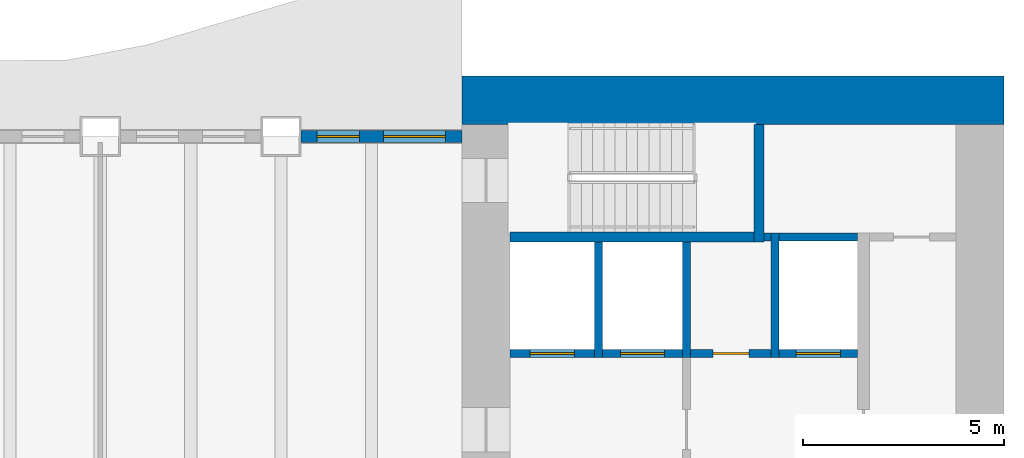
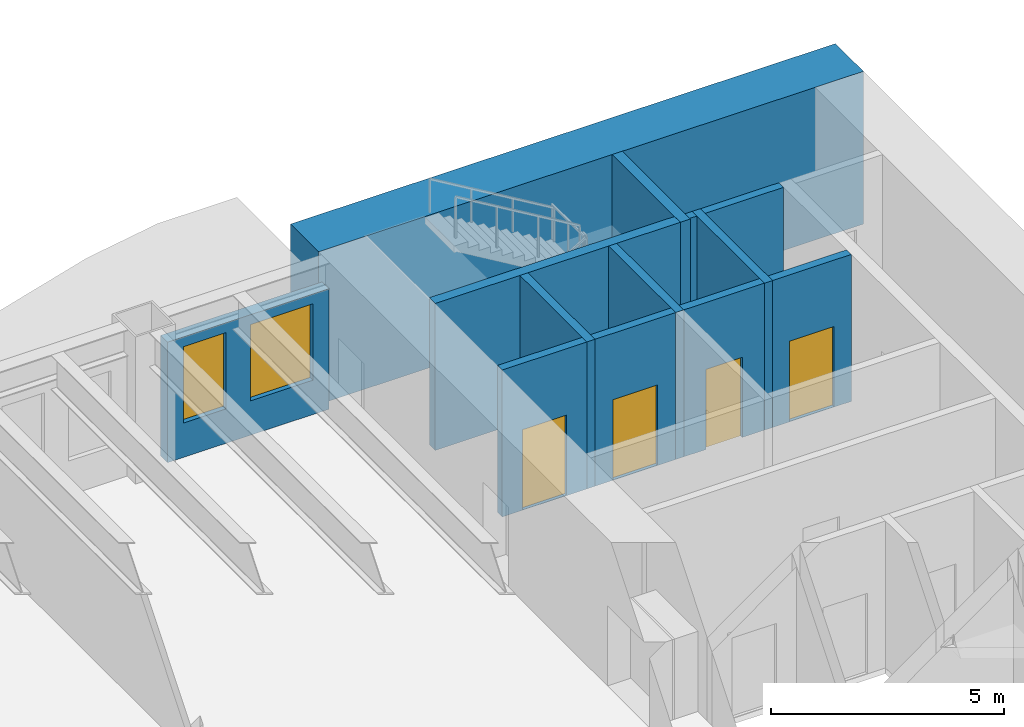
# One storey, part 7 of 16: 13 walls, 4 doors, 2 windows, 6 openings.
"""IFC4 building model written with IfcOpenShell, lengths in metres."""

from ifc_helpers import new_model, si_unit, direction, frame, frame_2d, origin, place, context, subcontext, project, spatial, rectangle, extrude, material, layer, layer_set, type_object, element, fill, save


model = new_model("IFC4")

# Units and contexts
model_context = context("Model", 3, precision=1e-05, world=origin(), true_north=direction((0.0, 1.0)))
body_context = subcontext(model_context, "Body", "Model", "MODEL_VIEW")
ifc_project = project(units=[si_unit("LENGTHUNIT", "METRE"), si_unit("AREAUNIT", "SQUARE_METRE"), si_unit("VOLUMEUNIT", "CUBIC_METRE"), si_unit("PLANEANGLEUNIT", "RADIAN"), si_unit("MASSUNIT", "GRAM", prefix="KILO")], contexts=[model_context])

# Site, building, storey
site_placement = place(None, origin())
site = spatial("IfcSite", under=ifc_project, at=site_placement, CompositionType="ELEMENT")
building_placement = place(site_placement, origin())
building = spatial("IfcBuilding", under=site, at=building_placement, Name="Sennacour Bend Tower", CompositionType="ELEMENT")
storey_placement = place(building_placement, frame((0.0, 0.0, 115.0)))
storey = spatial("IfcBuildingStorey", under=building, at=storey_placement, Name="L26", CompositionType="ELEMENT", Elevation=115.0)

# Wall
ifc_material_1 = material(Name="Concrete C80/95", Category="concrete")
ifc_layer_1 = layer(ifc_material_1, 1.199951171875, Name="Concrete C80/95", Category="concrete")
ifc_layer_set_1 = layer_set([ifc_layer_1], Name="Concrete C80/95")
wall_type_1 = type_object("IfcWallType", Name="Core wall 1200 C80/95", PredefinedType="SHEAR", material=ifc_layer_set_1)
wall_1_placement = place(storey_placement, frame((54.0, 21.89990234375, -0.14990234375), z_axis=(0.0, 0.0, 1.0), x_axis=(1.0, 0.0, 0.0)))
element("IfcWall", 1, at=wall_1_placement, inside=storey, type_object=wall_type_1, Name="Core A wall L26 N", PredefinedType="SHEAR", context=body_context, shape_type="SweptSolid", body=[
    extrude(rectangle(XDim=13.5, YDim=1.199951171875, at=frame_2d((6.75, 0.0))), origin(), (0.0, 0.0, 1.0), 4.0),
])

# Wall, opening, door
ifc_material_2 = material(Name="Fire-rated plasterboard partition on steel studs", Category="steel")
ifc_layer_2 = layer(ifc_material_2, 0.199951171875, Name="Fire-rated plasterboard partition on steel studs", Category="steel")
ifc_layer_set_2 = layer_set([ifc_layer_2], Name="Fire-rated plasterboard partition on steel studs")
wall_type_2 = type_object("IfcWallType", Name="Rated partition 200", PredefinedType="PARTITIONING", material=ifc_layer_set_2)
wall_2_placement = place(storey_placement, frame((59.699951171875, 15.60009765625, 0.0), z_axis=(0.0, 0.0, 1.0), x_axis=(1.0, 0.0, 0.0)))
wall_2 = element("IfcWall", 2, at=wall_2_placement, inside=storey, type_object=wall_type_2, Name="P-L26-W060", PredefinedType="PARTITIONING", context=body_context, shape_type="SweptSolid", body=[
    extrude(rectangle(XDim=2.0, YDim=0.199951171875, at=frame_2d((1.0, 0.0))), origin(), (0.0, 0.0, 1.0), 3.85009765625),
])
opening_1_placement = place(wall_2_placement, frame((0.550048828125, 0.0, 0.0)))
opening_1 = element("IfcOpeningElement", 3, at=opening_1_placement, cuts=wall_2, Name="Opening SV", PredefinedType="OPENING", context=body_context, shape_type="SweptSolid", body=[
    extrude(rectangle(XDim=0.89990234375, YDim=2.10009765625, at=frame_2d((0.449951171875, 1.050048828125))), frame((0.0, 0.10986328125, 0.0), z_axis=(0.0, -1.0, 0.0), x_axis=(1.0, 0.0, 0.0)), (0.0, 0.0, 1.0), 0.219970703125),
])
ifc_material_3 = material(Name="Painted steel", Category="steel")
door_type_1 = type_object("IfcDoorType", Name="DR-SERVICE-900", OperationType="NOTDEFINED", PredefinedType="DOOR", material=ifc_material_3)
door_1_placement = place(opening_1_placement, origin())
door_1 = element("IfcDoor", 4, at=door_1_placement, inside=storey, type_object=door_type_1, Name="Door", OperationType="SINGLE_SWING_RIGHT", OverallHeight=2.10009765625, OverallWidth=0.89990234375, PredefinedType="DOOR", context=body_context, shape_type="SweptSolid", body=[
    extrude(rectangle(XDim=0.89990234375, YDim=2.10009765625, at=frame_2d((0.449951171875, 1.050048828125))), frame((0.0, 0.02490234375, 0.0), z_axis=(0.0, -1.0, 0.0), x_axis=(1.0, 0.0, 0.0)), (0.0, 0.0, 1.0), 0.050048828125),
])
fill(opening_1, door_1)

# Wall
wall_3_placement = place(storey_placement, frame((61.52490234375, 18.5, 0.0), z_axis=(0.0, 0.0, 1.0), x_axis=(1.0, 0.0, 0.0)))
element("IfcWall", 5, at=wall_3_placement, inside=storey, type_object=wall_type_2, Name="P-L26-W064", PredefinedType="PARTITIONING", context=body_context, shape_type="SweptSolid", body=[
    extrude(rectangle(XDim=0.175048828125, YDim=0.199951171875, at=frame_2d((0.08740234375, 0.0))), origin(), (0.0, 0.0, 1.0), 3.85009765625),
])

# Wall, openings, windows
ifc_material_4 = material(Name="Warm limestone cladding", Category="masonry")
ifc_layer_3 = layer(ifc_material_4, 0.050048828125, Name="Warm limestone cladding", Category="masonry")
ifc_material_5 = material(Name="Precast concrete C40/50", Category="concrete")
ifc_layer_4 = layer(ifc_material_5, 0.25, Name="Precast concrete C40/50", Category="concrete")
ifc_layer_set_3 = layer_set([ifc_layer_3, ifc_layer_4], Name="Precast concrete C40/50 with limestone cladding")
wall_type_3 = type_object("IfcWallType", Name="STONE-CLAD PRECAST SPANDREL 300", PredefinedType="STANDARD", material=ifc_layer_set_3)
wall_4_placement = place(storey_placement, frame((54.0, 21.0, 0.0), z_axis=(0.0, 0.0, 1.0), x_axis=(-1.0, 0.0, 0.0)))
wall_4 = element("IfcWall", 6, at=wall_4_placement, inside=storey, type_object=wall_type_3, Name="Stone spandrel and pier wall L26 06.00", PredefinedType="STANDARD", context=body_context, shape_type="SweptSolid", body=[
    extrude(rectangle(XDim=4.0, YDim=0.300048828125, at=frame_2d((2.0, 0.0))), origin(), (0.0, 0.0, 1.0), 3.154052734375),
])
opening_2_placement = place(wall_4_placement, frame((0.39990234375, 0.0, 0.89990234375)))
opening_2 = element("IfcOpeningElement", 7, at=opening_2_placement, cuts=wall_4, Name="Opening W9", PredefinedType="OPENING", context=body_context, shape_type="SweptSolid", body=[
    extrude(rectangle(XDim=1.550048828125, YDim=2.0, at=frame_2d((0.77490234375, 1.0))), frame((0.0, 0.16015625, 0.0), z_axis=(0.0, -1.0, 0.0), x_axis=(1.0, 0.0, 0.0)), (0.0, 0.0, 1.0), 0.320068359375),
])
opening_3_placement = place(wall_4_placement, frame((2.550048828125, 0.0, 0.89990234375)))
opening_3 = element("IfcOpeningElement", 8, at=opening_3_placement, cuts=wall_4, Name="Opening W13", PredefinedType="OPENING", context=body_context, shape_type="SweptSolid", body=[
    extrude(rectangle(XDim=1.050048828125, YDim=2.0, at=frame_2d((0.52490234375, 1.0))), frame((0.0, 0.16015625, 0.0), z_axis=(0.0, -1.0, 0.0), x_axis=(1.0, 0.0, 0.0)), (0.0, 0.0, 1.0), 0.320068359375),
])
ifc_material_6 = material(Name="Clear low-emissivity glass", Category="glass")
window_type_1 = type_object("IfcWindowType", Name="WIN-RIBBON-1050x2000", PartitioningType="SINGLE_PANEL", PredefinedType="WINDOW", material=ifc_material_6)
window_1_placement = place(opening_3_placement, origin())
window_1 = element("IfcWindow", 9, at=window_1_placement, inside=storey, type_object=window_type_1, Name="Ribbon window L26 06.00.1", OverallHeight=2.0, OverallWidth=1.050048828125, PartitioningType="SINGLE_PANEL", PredefinedType="WINDOW", context=body_context, shape_type="SweptSolid", body=[
    extrude(rectangle(XDim=1.050048828125, YDim=2.0, at=frame_2d((0.52490234375, 1.0))), frame((0.0, 0.030029296875, 0.0), z_axis=(0.0, -1.0, 0.0), x_axis=(1.0, 0.0, 0.0)), (0.0, 0.0, 1.0), 0.06005859375),
])
fill(opening_3, window_1)
window_type_2 = type_object("IfcWindowType", Name="WIN-RIBBON-1550x2000", PartitioningType="SINGLE_PANEL", PredefinedType="WINDOW", material=ifc_material_6)
window_2_placement = place(opening_2_placement, origin())
window_2 = element("IfcWindow", 10, at=window_2_placement, inside=storey, type_object=window_type_2, Name="Ribbon window L26 06.00.0", OverallHeight=2.0, OverallWidth=1.550048828125, PartitioningType="SINGLE_PANEL", PredefinedType="WINDOW", context=body_context, shape_type="SweptSolid", body=[
    extrude(rectangle(XDim=1.550048828125, YDim=2.0, at=frame_2d((0.77490234375, 1.0))), frame((0.0, 0.030029296875, 0.0), z_axis=(0.0, -1.0, 0.0), x_axis=(1.0, 0.0, 0.0)), (0.0, 0.0, 1.0), 0.06005859375),
])
fill(opening_2, window_2)

# Walls
ifc_material_7 = material(Name="Concrete C50/60", Category="concrete")
ifc_layer_5 = layer(ifc_material_7, 0.199951171875, Name="Concrete C50/60", Category="concrete")
ifc_layer_set_4 = layer_set([ifc_layer_5], Name="Concrete C50/60")
wall_type_4 = type_object("IfcWallType", Name="Shaft wall 200", PredefinedType="SOLIDWALL", material=ifc_layer_set_4)
for number, where, z_axis, x_axis, name in (
    (11, (57.39990234375, 15.5, 0.0), (0.0, 0.0, 1.0), (0.0, 1.0, 0.0), "P-L26-W036"),
    (12, (59.60009765625, 15.5, 0.0), (0.0, 0.0, 1.0), (0.0, 1.0, 0.0), "P-L26-W039"),
):
    element("IfcWall", number, at=place(storey_placement, frame(where, z_axis=z_axis, x_axis=x_axis)), inside=storey, type_object=wall_type_4, Name=name, PredefinedType="SOLIDWALL", context=body_context, shape_type="SweptSolid", body=[
        extrude(rectangle(XDim=2.875, YDim=0.199951171875, at=frame_2d((1.4375, 0.0))), origin(), (0.0, 0.0, 1.0), 3.85009765625),
    ])
wall_5_placement = place(storey_placement, frame((61.800048828125, 15.5, 0.0), z_axis=(0.0, 0.0, 1.0), x_axis=(0.0, 1.0, 0.0)))
element("IfcWall", 13, at=wall_5_placement, inside=storey, type_object=wall_type_4, Name="P-L26-W043", PredefinedType="SOLIDWALL", context=body_context, shape_type="SweptSolid", body=[
    extrude(rectangle(XDim=3.10009765625, YDim=0.199951171875, at=frame_2d((1.550048828125, 0.0))), origin(), (0.0, 0.0, 1.0), 3.85009765625),
])

# Wall, opening, door
wall_6_placement = place(storey_placement, frame((55.199951171875, 15.60009765625, 0.0), z_axis=(0.0, 0.0, 1.0), x_axis=(1.0, 0.0, 0.0)))
wall_6 = element("IfcWall", 14, at=wall_6_placement, inside=storey, type_object=wall_type_4, Name="P-L26-W059a", PredefinedType="SOLIDWALL", context=body_context, shape_type="SweptSolid", body=[
    extrude(rectangle(XDim=2.10009765625, YDim=0.199951171875, at=frame_2d((1.050048828125, 0.0))), origin(), (0.0, 0.0, 1.0), 3.85009765625),
])
opening_4_placement = place(wall_6_placement, frame((0.5, 0.0, 0.011962890625)))
opening_4 = element("IfcOpeningElement", 15, at=opening_4_placement, cuts=wall_6, Name="Opening FLD", PredefinedType="OPENING", context=body_context, shape_type="SweptSolid", body=[
    extrude(rectangle(XDim=1.10009765625, YDim=2.10009765625, at=frame_2d((0.550048828125, 1.050048828125))), frame((0.0, 0.10986328125, 0.0), z_axis=(0.0, -1.0, 0.0), x_axis=(1.0, 0.0, 0.0)), (0.0, 0.0, 1.0), 0.219970703125),
])
ifc_material_8 = material(Name="Stainless steel", Category="steel")
door_type_2 = type_object("IfcDoorType", Name="DR-FF-LANDING-1100", OperationType="NOTDEFINED", PredefinedType="DOOR", material=ifc_material_8)
door_2_placement = place(opening_4_placement, origin())
door_2 = element("IfcDoor", 16, at=door_2_placement, inside=storey, type_object=door_type_2, Name="Fire service lift landing door FA1", OperationType="SLIDING_TO_LEFT", OverallHeight=2.10009765625, OverallWidth=1.10009765625, PredefinedType="DOOR", context=body_context, shape_type="SweptSolid", body=[
    extrude(rectangle(XDim=1.10009765625, YDim=2.10009765625, at=frame_2d((0.550048828125, 1.050048828125))), frame((0.0, 0.02490234375, 0.0), z_axis=(0.0, -1.0, 0.0), x_axis=(1.0, 0.0, 0.0)), (0.0, 0.0, 1.0), 0.050048828125),
])
fill(opening_4, door_2)

wall_7_placement = place(storey_placement, frame((57.5, 15.60009765625, 0.0), z_axis=(0.0, 0.0, 1.0), x_axis=(1.0, 0.0, 0.0)))
wall_7 = element("IfcWall", 17, at=wall_7_placement, inside=storey, type_object=wall_type_4, Name="P-L26-W059b", PredefinedType="SOLIDWALL", context=body_context, shape_type="SweptSolid", body=[
    extrude(rectangle(XDim=2.0, YDim=0.199951171875, at=frame_2d((1.0, 0.0))), origin(), (0.0, 0.0, 1.0), 3.85009765625),
])
opening_5_placement = place(wall_7_placement, frame((0.449951171875, 0.0, 0.011962890625)))
opening_5 = element("IfcOpeningElement", 18, at=opening_5_placement, cuts=wall_7, Name="Opening FLD", PredefinedType="OPENING", context=body_context, shape_type="SweptSolid", body=[
    extrude(rectangle(XDim=1.10009765625, YDim=2.10009765625, at=frame_2d((0.550048828125, 1.050048828125))), frame((0.0, 0.10986328125, 0.0), z_axis=(0.0, -1.0, 0.0), x_axis=(1.0, 0.0, 0.0)), (0.0, 0.0, 1.0), 0.219970703125),
])
door_3_placement = place(opening_5_placement, origin())
door_3 = element("IfcDoor", 19, at=door_3_placement, inside=storey, type_object=door_type_2, Name="Fire service lift landing door FA2", OperationType="SLIDING_TO_RIGHT", OverallHeight=2.10009765625, OverallWidth=1.10009765625, PredefinedType="DOOR", context=body_context, shape_type="SweptSolid", body=[
    extrude(rectangle(XDim=1.10009765625, YDim=2.10009765625, at=frame_2d((0.550048828125, 1.050048828125))), frame((0.0, 0.02490234375, 0.0), z_axis=(0.0, -1.0, 0.0), x_axis=(1.0, 0.0, 0.0)), (0.0, 0.0, 1.0), 0.050048828125),
])
fill(opening_5, door_3)

wall_8_placement = place(storey_placement, frame((61.89990234375, 15.60009765625, 0.0), z_axis=(0.0, 0.0, 1.0), x_axis=(1.0, 0.0, 0.0)))
wall_8 = element("IfcWall", 20, at=wall_8_placement, inside=storey, type_object=wall_type_4, Name="P-L26-W061", PredefinedType="SOLIDWALL", context=body_context, shape_type="SweptSolid", body=[
    extrude(rectangle(XDim=1.9501953125, YDim=0.199951171875, at=frame_2d((0.97509765625, 0.0))), origin(), (0.0, 0.0, 1.0), 3.85009765625),
])
opening_6_placement = place(wall_8_placement, frame((0.425048828125, 0.0, 0.011962890625)))
opening_6 = element("IfcOpeningElement", 21, at=opening_6_placement, cuts=wall_8, Name="Opening LD", PredefinedType="OPENING", context=body_context, shape_type="SweptSolid", body=[
    extrude(rectangle(XDim=1.10009765625, YDim=2.10009765625, at=frame_2d((0.550048828125, 1.050048828125))), frame((0.0, 0.10986328125, 0.0), z_axis=(0.0, -1.0, 0.0), x_axis=(1.0, 0.0, 0.0)), (0.0, 0.0, 1.0), 0.219970703125),
])
door_type_3 = type_object("IfcDoorType", Name="DR-LANDING-1100", OperationType="NOTDEFINED", PredefinedType="DOOR", material=ifc_material_8)
door_4_placement = place(opening_6_placement, origin())
door_4 = element("IfcDoor", 22, at=door_4_placement, inside=storey, type_object=door_type_3, Name="Lift landing door LA5", OperationType="SLIDING_TO_LEFT", OverallHeight=2.10009765625, OverallWidth=1.10009765625, PredefinedType="DOOR", context=body_context, shape_type="SweptSolid", body=[
    extrude(rectangle(XDim=1.10009765625, YDim=2.10009765625, at=frame_2d((0.550048828125, 1.050048828125))), frame((0.0, 0.02490234375, 0.0), z_axis=(0.0, -1.0, 0.0), x_axis=(1.0, 0.0, 0.0)), (0.0, 0.0, 1.0), 0.050048828125),
])
fill(opening_6, door_4)

# Walls
wall_9_placement = place(storey_placement, frame((61.89990234375, 18.5, 0.0), z_axis=(0.0, 0.0, 1.0), x_axis=(1.0, 0.0, 0.0)))
element("IfcWall", 23, at=wall_9_placement, inside=storey, type_object=wall_type_4, Name="P-L26-W065", PredefinedType="SOLIDWALL", context=body_context, shape_type="SweptSolid", body=[
    extrude(rectangle(XDim=1.9501953125, YDim=0.199951171875, at=frame_2d((0.97509765625, 0.0))), origin(), (0.0, 0.0, 1.0), 3.85009765625),
])
ifc_material_9 = material(Name="Concrete C60/75", Category="concrete")
ifc_layer_6 = layer(ifc_material_9, 0.25, Name="Concrete C60/75", Category="concrete")
ifc_layer_set_5 = layer_set([ifc_layer_6], Name="Concrete C60/75")
wall_type_5 = type_object("IfcWallType", Name="Stair wall 250", PredefinedType="SHEAR", material=ifc_layer_set_5)
wall_10_placement = place(storey_placement, frame((61.39990234375, 18.375, 0.0), z_axis=(0.0, 0.0, 1.0), x_axis=(0.0, 1.0, 0.0)))
element("IfcWall", 24, at=wall_10_placement, inside=storey, type_object=wall_type_5, Name="P-L26-W041", PredefinedType="SHEAR", context=body_context, shape_type="SweptSolid", body=[
    extrude(rectangle(XDim=2.925048828125, YDim=0.25, at=frame_2d((1.46240234375, 0.0))), origin(), (0.0, 0.0, 1.0), 3.85009765625),
])
wall_11_placement = place(storey_placement, frame((55.199951171875, 18.5, 0.0), z_axis=(0.0, 0.0, 1.0), x_axis=(1.0, 0.0, 0.0)))
element("IfcWall", 25, at=wall_11_placement, inside=storey, type_object=wall_type_5, Name="P-L26-W063", PredefinedType="SHEAR", context=body_context, shape_type="SweptSolid", body=[
    extrude(rectangle(XDim=6.074951171875, YDim=0.25, at=frame_2d((3.03759765625, 0.0))), origin(), (0.0, 0.0, 1.0), 3.85009765625),
])

save(model, "model.ifc")
